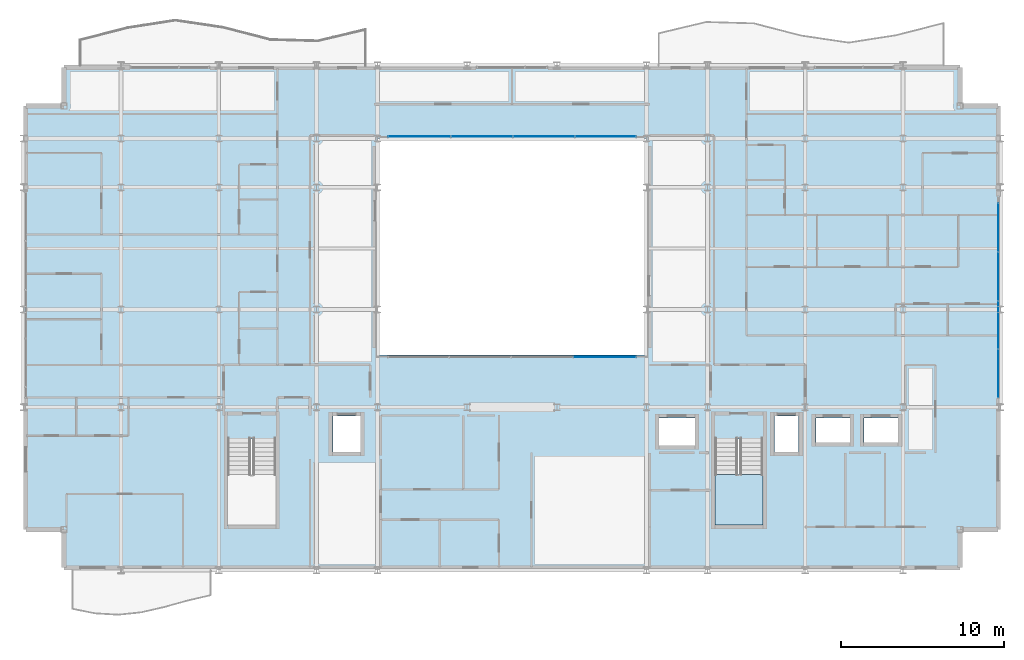
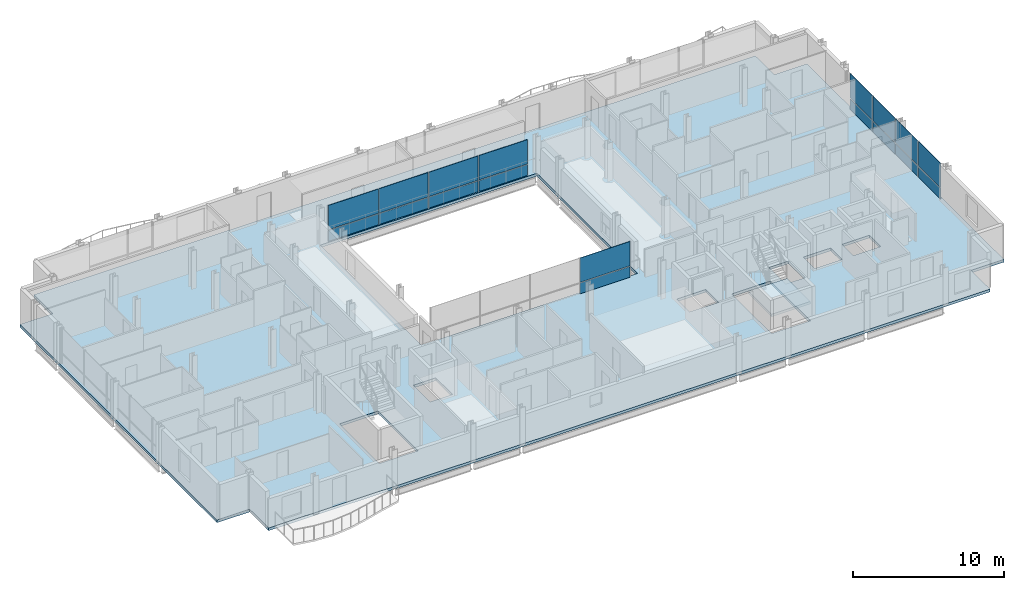
# One storey, part 29 of 41: 18 plates, 2 slabs, 4 elements without a shape of their own.
"""IFC4 building model written with IfcOpenShell, lengths in metres."""

from ifc_helpers import new_model, si_unit, direction, frame, origin, origin_2d, place, context, subcontext, project, spatial, polyline, rectangle, outline, extrude, material, layer, layer_set, type_object, element, aggregate, save


model = new_model("IFC4")

# Units and contexts
model_context = context("Model", 3, precision=1e-05, world=origin(), true_north=direction((0.0, 1.0)))
body_context = subcontext(model_context, "Body", "Model", "MODEL_VIEW")
ifc_project = project(units=[si_unit("LENGTHUNIT", "METRE"), si_unit("AREAUNIT", "SQUARE_METRE"), si_unit("VOLUMEUNIT", "CUBIC_METRE"), si_unit("PLANEANGLEUNIT", "RADIAN"), si_unit("MASSUNIT", "GRAM", prefix="KILO")], contexts=[model_context])

# Site, building, storey
site_placement = place(None, origin())
site = spatial("IfcSite", under=ifc_project, at=site_placement, CompositionType="ELEMENT")
building_placement = place(site_placement, origin())
building = spatial("IfcBuilding", under=site, at=building_placement, Name="Brevholm Reach", CompositionType="ELEMENT")
storey_placement = place(building_placement, frame((0.0, 0.0, 169.699951171875)))
storey = spatial("IfcBuildingStorey", under=building, at=storey_placement, Name="L51", CompositionType="ELEMENT", Elevation=169.699951171875)

# Curtain wall, plates
ifc_material_1 = material(Name="Dark Anodised Aluminium 6063-T6 and Solar-Control Glass", Category="aluminium")
ifc_layer_1 = layer(ifc_material_1, 0.14990234375)
ifc_layer_set_1 = layer_set([ifc_layer_1], Name="Dark Anodised Aluminium 6063-T6 and Solar-Control Glass")
curtain_wall_type_1 = type_object("IfcCurtainWallType", Name="CW-01", PredefinedType="NOTDEFINED", material=ifc_layer_set_1)
curtain_wall_1_placement = place(storey_placement, origin())
curtain_wall_1 = element("IfcCurtainWall", 1, at=curtain_wall_1_placement, inside=storey, type_object=curtain_wall_type_1, Name="L51 Curtain Wall CW-01", PredefinedType="NOTDEFINED")
ifc_material_2 = material(Name="Dark Solar-Control Double-Glazed IGU Glass", Category="glass")
ifc_layer_2 = layer(ifc_material_2, 0.028076171875)
ifc_layer_set_2 = layer_set([ifc_layer_2], Name="Dark Solar-Control Double-Glazed IGU Glass")
plate_type_1 = type_object("IfcPlateType", Name="CWP-GLZ-28", PredefinedType="CURTAIN_PANEL", material=ifc_layer_set_2)
plate_1_placement = place(storey_placement, frame((59.85009765625, 12.066162109375, 0.0), z_axis=(0.0, 0.0, 1.0), x_axis=(0.0, 1.0, 0.0)))
plate_1 = element("IfcPlate", 2, at=plate_1_placement, type_object=plate_type_1, Name="CP-01 Glazing Panel 1.1", PredefinedType="CURTAIN_PANEL", context=body_context, shape_type="SweptSolid", body=[
    extrude(rectangle(XDim=2.902587890625, YDim=0.028076171875, at=origin_2d()), origin(), (0.0, 0.0, 1.0), 0.867431640625),
])
plate_2_placement = place(storey_placement, frame((59.85009765625, 12.066162109375, 0.9326171875), z_axis=(0.0, 0.0, 1.0), x_axis=(0.0, 1.0, 0.0)))
plate_2 = element("IfcPlate", 3, at=plate_2_placement, type_object=plate_type_1, Name="CP-01 Glazing Panel 1.2", PredefinedType="CURTAIN_PANEL", context=body_context, shape_type="SweptSolid", body=[
    extrude(rectangle(XDim=2.902587890625, YDim=0.028076171875, at=origin_2d()), origin(), (0.0, 0.0, 1.0), 1.95751953125),
])
plate_3_placement = place(storey_placement, frame((59.85009765625, 15.050048828125, 0.0), z_axis=(0.0, 0.0, 1.0), x_axis=(0.0, 1.0, 0.0)))
plate_3 = element("IfcPlate", 4, at=plate_3_placement, type_object=plate_type_1, Name="CP-01 Glazing Panel 2.1", PredefinedType="CURTAIN_PANEL", context=body_context, shape_type="SweptSolid", body=[
    extrude(rectangle(XDim=2.93505859375, YDim=0.028076171875, at=origin_2d()), origin(), (0.0, 0.0, 1.0), 0.867431640625),
])
plate_4_placement = place(storey_placement, frame((59.85009765625, 15.050048828125, 0.9326171875), z_axis=(0.0, 0.0, 1.0), x_axis=(0.0, 1.0, 0.0)))
plate_4 = element("IfcPlate", 5, at=plate_4_placement, type_object=plate_type_1, Name="CP-01 Glazing Panel 2.2", PredefinedType="CURTAIN_PANEL", context=body_context, shape_type="SweptSolid", body=[
    extrude(rectangle(XDim=2.93505859375, YDim=0.028076171875, at=origin_2d()), origin(), (0.0, 0.0, 1.0), 1.95751953125),
])
plate_5_placement = place(storey_placement, frame((59.85009765625, 18.050048828125, 0.0), z_axis=(0.0, 0.0, 1.0), x_axis=(0.0, 1.0, 0.0)))
plate_5 = element("IfcPlate", 6, at=plate_5_placement, type_object=plate_type_1, Name="CP-01 Glazing Panel 3.1", PredefinedType="CURTAIN_PANEL", context=body_context, shape_type="SweptSolid", body=[
    extrude(rectangle(XDim=2.93505859375, YDim=0.028076171875, at=origin_2d()), origin(), (0.0, 0.0, 1.0), 0.867431640625),
])
plate_6_placement = place(storey_placement, frame((59.85009765625, 18.050048828125, 0.9326171875), z_axis=(0.0, 0.0, 1.0), x_axis=(0.0, 1.0, 0.0)))
plate_6 = element("IfcPlate", 7, at=plate_6_placement, type_object=plate_type_1, Name="CP-01 Glazing Panel 3.2", PredefinedType="CURTAIN_PANEL", context=body_context, shape_type="SweptSolid", body=[
    extrude(rectangle(XDim=2.93505859375, YDim=0.028076171875, at=origin_2d()), origin(), (0.0, 0.0, 1.0), 1.95751953125),
])
plate_7_placement = place(storey_placement, frame((59.85009765625, 21.050048828125, 0.0), z_axis=(0.0, 0.0, 1.0), x_axis=(0.0, 1.0, 0.0)))
plate_7 = element("IfcPlate", 8, at=plate_7_placement, type_object=plate_type_1, Name="CP-01 Glazing Panel 4.1", PredefinedType="CURTAIN_PANEL", context=body_context, shape_type="SweptSolid", body=[
    extrude(rectangle(XDim=2.93505859375, YDim=0.028076171875, at=origin_2d()), origin(), (0.0, 0.0, 1.0), 0.867431640625),
])
plate_8_placement = place(storey_placement, frame((59.85009765625, 21.050048828125, 0.9326171875), z_axis=(0.0, 0.0, 1.0), x_axis=(0.0, 1.0, 0.0)))
plate_8 = element("IfcPlate", 9, at=plate_8_placement, type_object=plate_type_1, Name="CP-01 Glazing Panel 4.2", PredefinedType="CURTAIN_PANEL", context=body_context, shape_type="SweptSolid", body=[
    extrude(rectangle(XDim=2.93505859375, YDim=0.028076171875, at=origin_2d()), origin(), (0.0, 0.0, 1.0), 1.95751953125),
])
aggregate(curtain_wall_1, [plate_1, plate_2, plate_3, plate_4, plate_5, plate_6, plate_7, plate_8])

ifc_material_3 = material(Name="Dark Anodised Aluminium 6063-T6 and Solar-Control Glass", Category="aluminium")
ifc_layer_3 = layer(ifc_material_3, 0.139892578125)
ifc_layer_set_3 = layer_set([ifc_layer_3], Name="Dark Anodised Aluminium 6063-T6 and Solar-Control Glass")
curtain_wall_type_2 = type_object("IfcCurtainWallType", Name="CW-02", PredefinedType="NOTDEFINED", material=ifc_layer_set_3)
curtain_wall_2_placement = place(storey_placement, origin())
curtain_wall_2 = element("IfcCurtainWall", 10, at=curtain_wall_2_placement, inside=storey, type_object=curtain_wall_type_2, Name="L51 Curtain Wall CW-02", PredefinedType="NOTDEFINED")
ifc_material_4 = material(Name="Low-Iron Laminated Acoustic Glass", Category="glass")
ifc_layer_4 = layer(ifc_material_4, 0.035888671875)
ifc_layer_set_4 = layer_set([ifc_layer_4], Name="Low-Iron Laminated Acoustic Glass")
plate_type_2 = type_object("IfcPlateType", Name="CWP-GLZ-36", PredefinedType="CURTAIN_PANEL", material=ifc_layer_set_4)
plate_9_placement = place(storey_placement, frame((35.68505859375, 13.080078125, 0.0), z_axis=(0.0, 0.0, 1.0), x_axis=(1.0, 0.0, 0.0)))
plate_9 = element("IfcPlate", 11, at=plate_9_placement, type_object=plate_type_2, Name="CP-02 Glazing Panel 4.1", PredefinedType="CURTAIN_PANEL", context=body_context, shape_type="SweptSolid", body=[
    extrude(rectangle(XDim=3.81005859375, YDim=0.035888671875, at=origin_2d()), origin(), (0.0, 0.0, 1.0), 0.8701171875),
])
plate_10_placement = place(storey_placement, frame((35.68505859375, 13.080078125, 0.93017578125), z_axis=(0.0, 0.0, 1.0), x_axis=(1.0, 0.0, 0.0)))
plate_10 = element("IfcPlate", 12, at=plate_10_placement, type_object=plate_type_2, Name="CP-02 Glazing Panel 4.2", PredefinedType="CURTAIN_PANEL", context=body_context, shape_type="SweptSolid", body=[
    extrude(rectangle(XDim=3.81005859375, YDim=0.035888671875, at=origin_2d()), origin(), (0.0, 0.0, 1.0), 1.9599609375),
])
aggregate(curtain_wall_2, [plate_9, plate_10])

curtain_wall_3_placement = place(storey_placement, origin())
curtain_wall_3 = element("IfcCurtainWall", 13, at=curtain_wall_3_placement, inside=storey, type_object=curtain_wall_type_2, Name="L51 Curtain Wall CW-02", PredefinedType="NOTDEFINED")
plate_11_placement = place(storey_placement, frame((35.735107421875, 26.6201171875, 0.0), z_axis=(0.0, 0.0, 1.0), x_axis=(-1.0, 0.0, 0.0)))
plate_11 = element("IfcPlate", 14, at=plate_11_placement, type_object=plate_type_2, Name="CP-02 Glazing Panel 1.1", PredefinedType="CURTAIN_PANEL", context=body_context, shape_type="SweptSolid", body=[
    extrude(rectangle(XDim=3.7099609375, YDim=0.035888671875, at=origin_2d()), origin(), (0.0, 0.0, 1.0), 0.8701171875),
])
plate_12_placement = place(storey_placement, frame((35.735107421875, 26.6201171875, 0.93017578125), z_axis=(0.0, 0.0, 1.0), x_axis=(-1.0, 0.0, 0.0)))
plate_12 = element("IfcPlate", 15, at=plate_12_placement, type_object=plate_type_2, Name="CP-02 Glazing Panel 1.2", PredefinedType="CURTAIN_PANEL", context=body_context, shape_type="SweptSolid", body=[
    extrude(rectangle(XDim=3.7099609375, YDim=0.035888671875, at=origin_2d()), origin(), (0.0, 0.0, 1.0), 1.9599609375),
])
plate_13_placement = place(storey_placement, frame((31.949951171875, 26.6201171875, 0.0), z_axis=(0.0, 0.0, 1.0), x_axis=(-1.0, 0.0, 0.0)))
plate_13 = element("IfcPlate", 16, at=plate_13_placement, type_object=plate_type_2, Name="CP-02 Glazing Panel 2.1", PredefinedType="CURTAIN_PANEL", context=body_context, shape_type="SweptSolid", body=[
    extrude(rectangle(XDim=3.739990234375, YDim=0.035888671875, at=origin_2d()), origin(), (0.0, 0.0, 1.0), 0.8701171875),
])
plate_14_placement = place(storey_placement, frame((31.949951171875, 26.6201171875, 0.93017578125), z_axis=(0.0, 0.0, 1.0), x_axis=(-1.0, 0.0, 0.0)))
plate_14 = element("IfcPlate", 17, at=plate_14_placement, type_object=plate_type_2, Name="CP-02 Glazing Panel 2.2", PredefinedType="CURTAIN_PANEL", context=body_context, shape_type="SweptSolid", body=[
    extrude(rectangle(XDim=3.739990234375, YDim=0.035888671875, at=origin_2d()), origin(), (0.0, 0.0, 1.0), 1.9599609375),
])
plate_15_placement = place(storey_placement, frame((28.14990234375, 26.6201171875, 0.0), z_axis=(0.0, 0.0, 1.0), x_axis=(-1.0, 0.0, 0.0)))
plate_15 = element("IfcPlate", 18, at=plate_15_placement, type_object=plate_type_2, Name="CP-02 Glazing Panel 3.1", PredefinedType="CURTAIN_PANEL", context=body_context, shape_type="SweptSolid", body=[
    extrude(rectangle(XDim=3.739990234375, YDim=0.035888671875, at=origin_2d()), origin(), (0.0, 0.0, 1.0), 0.8701171875),
])
plate_16_placement = place(storey_placement, frame((28.14990234375, 26.6201171875, 0.93017578125), z_axis=(0.0, 0.0, 1.0), x_axis=(-1.0, 0.0, 0.0)))
plate_16 = element("IfcPlate", 19, at=plate_16_placement, type_object=plate_type_2, Name="CP-02 Glazing Panel 3.2", PredefinedType="CURTAIN_PANEL", context=body_context, shape_type="SweptSolid", body=[
    extrude(rectangle(XDim=3.739990234375, YDim=0.035888671875, at=origin_2d()), origin(), (0.0, 0.0, 1.0), 1.9599609375),
])
plate_17_placement = place(storey_placement, frame((24.31494140625, 26.6201171875, 0.0), z_axis=(0.0, 0.0, 1.0), x_axis=(-1.0, 0.0, 0.0)))
plate_17 = element("IfcPlate", 20, at=plate_17_placement, type_object=plate_type_2, Name="CP-02 Glazing Panel 4.1", PredefinedType="CURTAIN_PANEL", context=body_context, shape_type="SweptSolid", body=[
    extrude(rectangle(XDim=3.81005859375, YDim=0.035888671875, at=origin_2d()), origin(), (0.0, 0.0, 1.0), 0.8701171875),
])
plate_18_placement = place(storey_placement, frame((24.31494140625, 26.6201171875, 0.93017578125), z_axis=(0.0, 0.0, 1.0), x_axis=(-1.0, 0.0, 0.0)))
plate_18 = element("IfcPlate", 21, at=plate_18_placement, type_object=plate_type_2, Name="CP-02 Glazing Panel 4.2", PredefinedType="CURTAIN_PANEL", context=body_context, shape_type="SweptSolid", body=[
    extrude(rectangle(XDim=3.81005859375, YDim=0.035888671875, at=origin_2d()), origin(), (0.0, 0.0, 1.0), 1.9599609375),
])
aggregate(curtain_wall_3, [plate_11, plate_12, plate_13, plate_14, plate_15, plate_16, plate_17, plate_18])

# Slab
ifc_material_5 = material(Name="Concrete C40/50", Category="concrete")
ifc_layer_5 = layer(ifc_material_5, 0.219970703125)
ifc_layer_set_5 = layer_set([ifc_layer_5], Name="Concrete C40/50")
slab_type_1 = type_object("IfcSlabType", Name="SLB-FL-220", PredefinedType="FLOOR", material=ifc_layer_set_5)
slab_1_placement = place(storey_placement, frame((0.0, 0.0, -0.219970703125)))
element("IfcSlab", 22, at=slab_1_placement, inside=storey, type_object=slab_type_1, Name="L51 Suspended Floor Slab (main)", PredefinedType="FLOOR", context=body_context, shape_type="SweptSolid", body=[
    extrude(outline(polyline([(2.5, 0.0), (57.5, 0.0), (57.5, 2.5), (60.0, 2.5), (60.0, 28.5), (57.5, 28.5), (57.5, 31.0), (2.5, 31.0), (2.5, 28.5), (0.0, 28.5), (0.0, 2.5), (2.5, 2.5), (2.5, 0.0)]), holes=[polyline([(21.75, 13.199951171875), (38.25, 13.199951171875), (38.25, 26.5), (21.75, 26.5), (21.75, 13.199951171875)]), polyline([(12.550048828125, 2.780029296875), (15.5, 2.780029296875), (15.5, 8.044921875), (12.550048828125, 8.044921875), (12.550048828125, 2.780029296875)]), polyline([(42.449951171875, 2.780029296875), (45.39990234375, 2.780029296875), (45.39990234375, 8.044921875), (42.449951171875, 8.044921875), (42.449951171875, 2.780029296875)]), polyline([(19.0, 7.25), (20.699951171875, 7.25), (20.699951171875, 9.449951171875), (19.0, 9.449951171875), (19.0, 7.25)]), polyline([(46.10009765625, 7.25), (47.60009765625, 7.25), (47.60009765625, 9.449951171875), (46.10009765625, 9.449951171875), (46.10009765625, 7.25)]), polyline([(39.02001953125, 7.64990234375), (41.219970703125, 7.64990234375), (41.219970703125, 9.35009765625), (39.02001953125, 9.35009765625), (39.02001953125, 7.64990234375)]), polyline([(48.64990234375, 7.85009765625), (50.75, 7.85009765625), (50.75, 9.35009765625), (48.64990234375, 9.35009765625), (48.64990234375, 7.85009765625)]), polyline([(51.60009765625, 7.85009765625), (53.699951171875, 7.85009765625), (53.699951171875, 9.35009765625), (51.60009765625, 9.35009765625), (51.60009765625, 7.85009765625)])]), origin(), (0.0, 0.0, 1.0), 0.219970703125),
])

# Stair, slab
ifc_material_6 = material(Name="Precast Concrete C40/50", Category="concrete")
stair_type = type_object("IfcStairType", Name="STR-ESC-1400", PredefinedType="DOUBLE_RETURN_STAIR", material=ifc_material_6)
stair_placement = place(storey_placement, origin())
stair = element("IfcStair", 23, at=stair_placement, inside=storey, type_object=stair_type, Name="L51 ST-2", PredefinedType="DOUBLE_RETURN_STAIR")
ifc_material_7 = material(Name="Concrete C40/50", Category="concrete")
ifc_layer_6 = layer(ifc_material_7, 0.199951171875)
ifc_layer_set_6 = layer_set([ifc_layer_6], Name="Concrete C40/50")
slab_type_2 = type_object("IfcSlabType", Name="SLB-LND-200", PredefinedType="LANDING", material=ifc_layer_set_6)
slab_2_placement = place(storey_placement, frame((0.0, 0.0, 1.35009765625)))
slab_2 = element("IfcSlab", 24, at=slab_2_placement, type_object=slab_type_2, Name="ST-2 landing 1", PredefinedType="LANDING", context=body_context, shape_type="SweptSolid", body=[
    extrude(outline(polyline([(42.449951171875, 5.860107421875), (42.449951171875, 2.780029296875), (45.39990234375, 2.780029296875), (45.39990234375, 5.860107421875), (42.449951171875, 5.860107421875)])), origin(), (0.0, 0.0, 1.0), 0.199951171875),
])
aggregate(stair, [slab_2])

save(model, "model.ifc")
